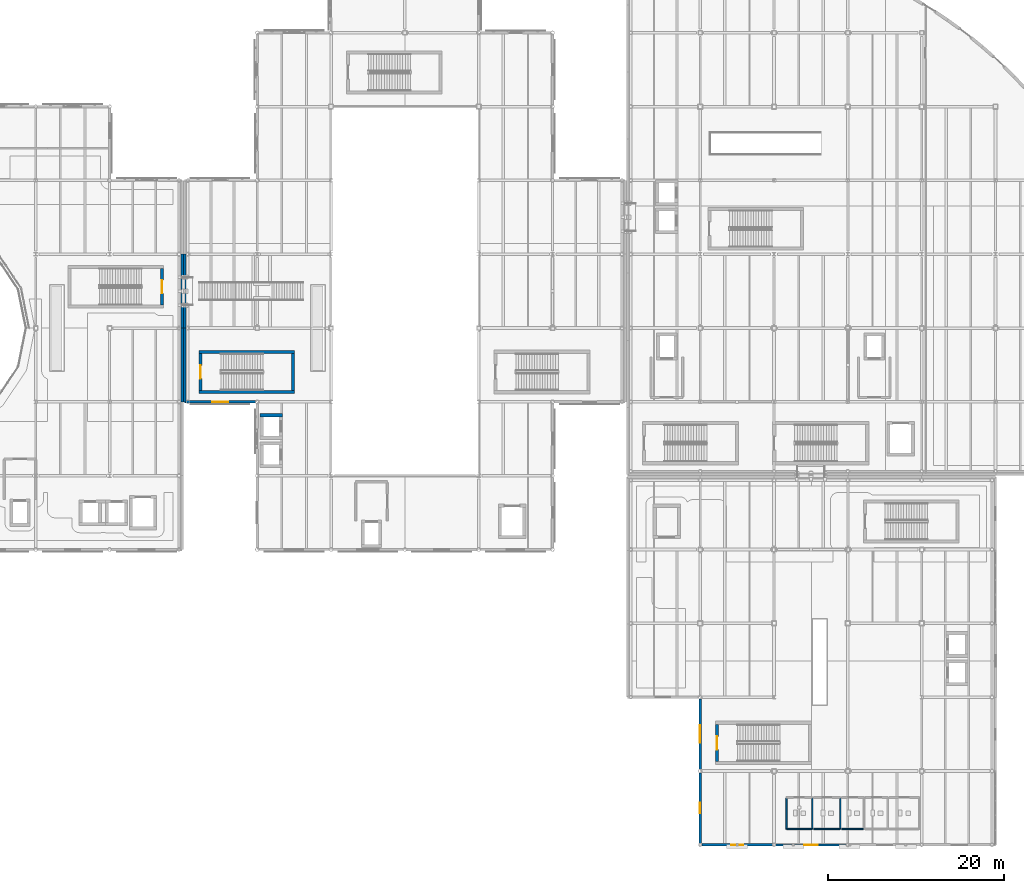
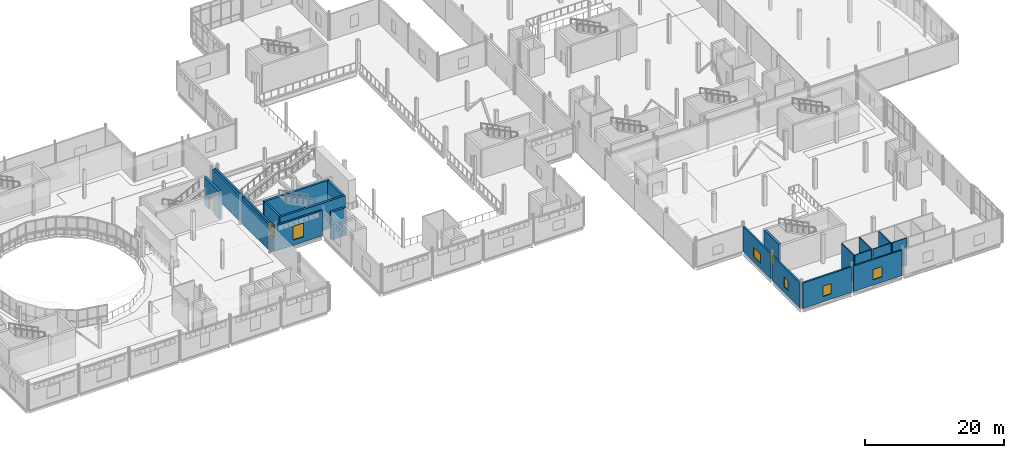
# One storey, part 67 of 104: 22 walls, 5 windows, 3 doors, 8 openings.
"""IFC4 building model written with IfcOpenShell, lengths in metres."""

from ifc_helpers import new_model, si_unit, direction, frame, frame_2d, origin, place, context, subcontext, project, spatial, rectangle, extrude, material, layer, layer_set, type_object, element, fill, save


model = new_model("IFC4")

# Units and contexts
model_context = context("Model", 3, precision=1e-05, world=origin(), true_north=direction((0.0, 1.0)))
body_context = subcontext(model_context, "Body", "Model", "MODEL_VIEW")
ifc_project = project(units=[si_unit("LENGTHUNIT", "METRE"), si_unit("AREAUNIT", "SQUARE_METRE"), si_unit("VOLUMEUNIT", "CUBIC_METRE"), si_unit("PLANEANGLEUNIT", "RADIAN"), si_unit("MASSUNIT", "GRAM", prefix="KILO"), si_unit("THERMODYNAMICTEMPERATUREUNIT", "KELVIN")], contexts=[model_context])

# Site, building, storey
site_placement = place(None, origin())
site = spatial("IfcSite", under=ifc_project, at=site_placement, CompositionType="ELEMENT")
building_placement = place(site_placement, origin())
building = spatial("IfcBuilding", under=site, at=building_placement, Name="Lustrewick Department Store", CompositionType="ELEMENT")
storey_placement = place(building_placement, frame((0.0, 0.0, 11.39990234375)))
storey = spatial("IfcBuildingStorey", under=building, at=storey_placement, Name="L03", CompositionType="ELEMENT", Elevation=11.39990234375)

# Wall, opening, window
ifc_material_1 = material(Name="Precast concrete C40", Category="concrete")
ifc_layer_1 = layer(ifc_material_1, 0.239990234375, Name="Precast concrete C40")
ifc_layer_set_1 = layer_set([ifc_layer_1], Name="Precast concrete C40")
wall_type_1 = type_object("IfcWallType", Name="EW01", PredefinedType="STANDARD", material=ifc_layer_set_1)
wall_1_placement = place(storey_placement, frame((126.18359375, 8.39990234375, 0.0), z_axis=(0.0, 0.0, 1.0), x_axis=(1.0, 0.0, 0.0)))
wall_1 = element("IfcWall", 1, at=wall_1_placement, inside=storey, type_object=wall_type_1, Name="L03 V3 Exterior Wall EW01", PredefinedType="STANDARD", context=body_context, shape_type="SweptSolid", body=[
    extrude(rectangle(XDim=8.032958984375, YDim=0.239990234375, at=frame_2d((4.0166015625, 0.0))), origin(), (0.0, 0.0, 1.0), 4.487060546875),
])
opening_1_placement = place(wall_1_placement, frame((3.2666015625, 0.0, 0.949951171875)))
opening_1 = element("IfcOpeningElement", 2, at=opening_1_placement, cuts=wall_1, Name="Opening WN03", PredefinedType="OPENING", context=body_context, shape_type="SweptSolid", body=[
    extrude(rectangle(XDim=1.5, YDim=1.800048828125, at=frame_2d((0.75, 0.89990234375))), frame((0.0, 0.1298828125, 0.0), z_axis=(0.0, -1.0, 0.0), x_axis=(1.0, 0.0, 0.0)), (0.0, 0.0, 1.0), 0.260009765625),
])
ifc_material_2 = material(Name="Thermally broken Low-E triple-glazed window", Category="glass")
window_type_1 = type_object("IfcWindowType", Name="WN03", PartitioningType="DOUBLE_PANEL_VERTICAL", PredefinedType="WINDOW", material=ifc_material_2)
window_1_placement = place(opening_1_placement, origin())
window_1 = element("IfcWindow", 3, at=window_1_placement, inside=storey, type_object=window_type_1, Name="L03 Art Nouveau Window WN03", OverallHeight=1.800048828125, OverallWidth=1.5, PartitioningType="SINGLE_PANEL", PredefinedType="WINDOW", context=body_context, shape_type="SweptSolid", body=[
    extrude(rectangle(XDim=1.5, YDim=1.800048828125, at=frame_2d((0.75, 0.89990234375))), frame((0.0, 0.030029296875, 0.0), z_axis=(0.0, -1.0, 0.0), x_axis=(1.0, 0.0, 0.0)), (0.0, 0.0, 1.0), 0.06005859375),
])
fill(opening_1, window_1)

ifc_layer_2 = layer(ifc_material_1, 0.260009765625, Name="Precast concrete C40")
ifc_layer_set_2 = layer_set([ifc_layer_2], Name="Precast concrete C40")
wall_type_2 = type_object("IfcWallType", Name="EW02", PredefinedType="STANDARD", material=ifc_layer_set_2)
wall_2_placement = place(storey_placement, frame((117.60009765625, 25.001953125, 0.0), z_axis=(0.0, 0.0, 1.0), x_axis=(0.0, -1.0, 0.0)))
wall_2 = element("IfcWall", 4, at=wall_2_placement, inside=storey, type_object=wall_type_2, Name="L03 V3 Exterior Wall EW02", PredefinedType="STANDARD", context=body_context, shape_type="SweptSolid", body=[
    extrude(rectangle(XDim=8.00390625, YDim=0.260009765625, at=frame_2d((4.001953125, 0.0))), origin(), (0.0, 0.0, 1.0), 4.397216796875),
])
opening_2_placement = place(wall_2_placement, frame((3.001953125, 0.0, 0.949951171875)))
opening_2 = element("IfcOpeningElement", 5, at=opening_2_placement, cuts=wall_2, Name="Opening WN20", PredefinedType="OPENING", context=body_context, shape_type="SweptSolid", body=[
    extrude(rectangle(XDim=2.0, YDim=1.60009765625, at=frame_2d((1.0, 0.800048828125))), frame((0.0, 0.14013671875, 0.0), z_axis=(0.0, -1.0, 0.0), x_axis=(1.0, 0.0, 0.0)), (0.0, 0.0, 1.0), 0.280029296875),
])
window_type_2 = type_object("IfcWindowType", Name="WN20", PartitioningType="DOUBLE_PANEL_VERTICAL", PredefinedType="WINDOW", material=ifc_material_2)
window_2_placement = place(opening_2_placement, origin())
window_2 = element("IfcWindow", 6, at=window_2_placement, inside=storey, type_object=window_type_2, Name="L03 Art Nouveau Window WN20", OverallHeight=1.60009765625, OverallWidth=2.0, PartitioningType="SINGLE_PANEL", PredefinedType="WINDOW", context=body_context, shape_type="SweptSolid", body=[
    extrude(rectangle(XDim=2.0, YDim=1.60009765625, at=frame_2d((1.0, 0.800048828125))), frame((0.0, 0.030029296875, 0.0), z_axis=(0.0, -1.0, 0.0), x_axis=(1.0, 0.0, 0.0)), (0.0, 0.0, 1.0), 0.06005859375),
])
fill(opening_2, window_2)

ifc_layer_3 = layer(ifc_material_1, 0.280029296875, Name="Precast concrete C40")
ifc_layer_set_3 = layer_set([ifc_layer_3], Name="Precast concrete C40")
wall_type_3 = type_object("IfcWallType", Name="EW03", PredefinedType="STANDARD", material=ifc_layer_set_3)
wall_3_placement = place(storey_placement, frame((58.949951171875, 58.800048828125, 0.0), z_axis=(0.0, 0.0, 1.0), x_axis=(1.0, 0.0, 0.0)))
wall_3 = element("IfcWall", 7, at=wall_3_placement, inside=storey, type_object=wall_type_3, Name="L03 V2 Exterior Wall EW03", PredefinedType="STANDARD", context=body_context, shape_type="SweptSolid", body=[
    extrude(rectangle(XDim=8.052001953125, YDim=0.280029296875, at=frame_2d((4.02587890625, 0.0))), origin(), (0.0, 0.0, 1.0), 4.487060546875),
])
opening_3_placement = place(wall_3_placement, frame((3.1259765625, 0.0, 0.949951171875)))
opening_3 = element("IfcOpeningElement", 8, at=opening_3_placement, cuts=wall_3, Name="Opening WN16", PredefinedType="OPENING", context=body_context, shape_type="SweptSolid", body=[
    extrude(rectangle(XDim=1.800048828125, YDim=2.39990234375, at=frame_2d((0.89990234375, 1.199951171875))), frame((0.0, 0.14990234375, 0.0), z_axis=(0.0, -1.0, 0.0), x_axis=(1.0, 0.0, 0.0)), (0.0, 0.0, 1.0), 0.300048828125),
])
window_type_3 = type_object("IfcWindowType", Name="WN16", PartitioningType="DOUBLE_PANEL_VERTICAL", PredefinedType="WINDOW", material=ifc_material_2)
window_3_placement = place(opening_3_placement, origin())
window_3 = element("IfcWindow", 9, at=window_3_placement, inside=storey, type_object=window_type_3, Name="L03 Art Nouveau Window WN16", OverallHeight=2.39990234375, OverallWidth=1.800048828125, PartitioningType="SINGLE_PANEL", PredefinedType="WINDOW", context=body_context, shape_type="SweptSolid", body=[
    extrude(rectangle(XDim=1.800048828125, YDim=2.39990234375, at=frame_2d((0.89990234375, 1.199951171875))), frame((0.0, 0.030029296875, 0.0), z_axis=(0.0, -1.0, 0.0), x_axis=(1.0, 0.0, 0.0)), (0.0, 0.0, 1.0), 0.06005859375),
])
fill(opening_3, window_3)

wall_4_placement = place(storey_placement, frame((117.60009765625, 16.60205078125, 0.0), z_axis=(0.0, 0.0, 1.0), x_axis=(0.0, -1.0, 0.0)))
wall_4 = element("IfcWall", 10, at=wall_4_placement, inside=storey, type_object=wall_type_3, Name="L03 V3 Exterior Wall EW03", PredefinedType="STANDARD", context=body_context, shape_type="SweptSolid", body=[
    extrude(rectangle(XDim=8.0185546875, YDim=0.280029296875, at=frame_2d((4.00927734375, 0.0))), origin(), (0.0, 0.0, 1.0), 4.397216796875),
])
opening_4_placement = place(wall_4_placement, frame((3.4091796875, 0.0, 0.949951171875)))
opening_4 = element("IfcOpeningElement", 11, at=opening_4_placement, cuts=wall_4, Name="Opening WN01", PredefinedType="OPENING", context=body_context, shape_type="SweptSolid", body=[
    extrude(rectangle(XDim=1.199951171875, YDim=1.800048828125, at=frame_2d((0.60009765625, 0.89990234375))), frame((0.0, 0.14990234375, 0.0), z_axis=(0.0, -1.0, 0.0), x_axis=(1.0, 0.0, 0.0)), (0.0, 0.0, 1.0), 0.300048828125),
])
window_type_4 = type_object("IfcWindowType", Name="WN01", PartitioningType="DOUBLE_PANEL_VERTICAL", PredefinedType="WINDOW", material=ifc_material_2)
window_4_placement = place(opening_4_placement, origin())
window_4 = element("IfcWindow", 12, at=window_4_placement, inside=storey, type_object=window_type_4, Name="L03 Art Nouveau Window WN01", OverallHeight=1.800048828125, OverallWidth=1.199951171875, PartitioningType="SINGLE_PANEL", PredefinedType="WINDOW", context=body_context, shape_type="SweptSolid", body=[
    extrude(rectangle(XDim=1.199951171875, YDim=1.800048828125, at=frame_2d((0.60009765625, 0.89990234375))), frame((0.0, 0.030029296875, 0.0), z_axis=(0.0, -1.0, 0.0), x_axis=(1.0, 0.0, 0.0)), (0.0, 0.0, 1.0), 0.06005859375),
])
fill(opening_4, window_4)

wall_5_placement = place(storey_placement, frame((117.783447265625, 8.39990234375, 0.0), z_axis=(0.0, 0.0, 1.0), x_axis=(1.0, 0.0, 0.0)))
wall_5 = element("IfcWall", 13, at=wall_5_placement, inside=storey, type_object=wall_type_3, Name="L03 V3 Exterior Wall EW03", PredefinedType="STANDARD", context=body_context, shape_type="SweptSolid", body=[
    extrude(rectangle(XDim=8.032958984375, YDim=0.280029296875, at=frame_2d((4.0166015625, 0.0))), origin(), (0.0, 0.0, 1.0), 4.487060546875),
])
opening_5_placement = place(wall_5_placement, frame((3.341552734375, 0.0, 0.949951171875)))
opening_5 = element("IfcOpeningElement", 14, at=opening_5_placement, cuts=wall_5, Name="Opening WN02", PredefinedType="OPENING", context=body_context, shape_type="SweptSolid", body=[
    extrude(rectangle(XDim=1.35009765625, YDim=1.800048828125, at=frame_2d((0.675048828125, 0.89990234375))), frame((0.0, 0.14990234375, 0.0), z_axis=(0.0, -1.0, 0.0), x_axis=(1.0, 0.0, 0.0)), (0.0, 0.0, 1.0), 0.300048828125),
])
window_type_5 = type_object("IfcWindowType", Name="WN02", PartitioningType="DOUBLE_PANEL_VERTICAL", PredefinedType="WINDOW", material=ifc_material_2)
window_5_placement = place(opening_5_placement, origin())
window_5 = element("IfcWindow", 15, at=window_5_placement, inside=storey, type_object=window_type_5, Name="L03 Art Nouveau Window WN02", OverallHeight=1.800048828125, OverallWidth=1.35009765625, PartitioningType="SINGLE_PANEL", PredefinedType="WINDOW", context=body_context, shape_type="SweptSolid", body=[
    extrude(rectangle(XDim=1.35009765625, YDim=1.800048828125, at=frame_2d((0.675048828125, 0.89990234375))), frame((0.0, 0.030029296875, 0.0), z_axis=(0.0, -1.0, 0.0), x_axis=(1.0, 0.0, 0.0)), (0.0, 0.0, 1.0), 0.06005859375),
])
fill(opening_5, window_5)

# Walls
ifc_layer_4 = layer(ifc_material_1, 0.300048828125, Name="Precast concrete C40")
ifc_layer_set_4 = layer_set([ifc_layer_4], Name="Precast concrete C40")
wall_type_4 = type_object("IfcWallType", Name="EW04", PredefinedType="STANDARD", material=ifc_layer_set_4)
wall_6_placement = place(storey_placement, frame((58.64990234375, 58.800048828125, 0.0), z_axis=(0.0, 0.0, 1.0), x_axis=(0.0, 1.0, 0.0)))
element("IfcWall", 16, at=wall_6_placement, inside=storey, type_object=wall_type_4, Name="L03 V1 Exterior Wall EW04", PredefinedType="STANDARD", context=body_context, shape_type="SweptSolid", body=[
    extrude(rectangle(XDim=8.39990234375, YDim=0.300048828125, at=frame_2d((4.199951171875, 0.0))), origin(), (0.0, 0.0, 1.0), 4.397216796875),
])
wall_7_placement = place(storey_placement, frame((58.64990234375, 67.199951171875, 0.0), z_axis=(0.0, 0.0, 1.0), x_axis=(0.0, 1.0, 0.0)))
element("IfcWall", 17, at=wall_7_placement, inside=storey, type_object=wall_type_4, Name="L03 V1 Exterior Wall EW04", PredefinedType="STANDARD", context=body_context, shape_type="SweptSolid", body=[
    extrude(rectangle(XDim=8.400146484375, YDim=0.300048828125, at=frame_2d((4.2001953125, 0.0))), origin(), (0.0, 0.0, 1.0), 4.397216796875),
])
wall_8_placement = place(storey_placement, frame((58.949951171875, 75.60009765625, 0.0), z_axis=(0.0, 0.0, 1.0), x_axis=(0.0, -1.0, 0.0)))
element("IfcWall", 18, at=wall_8_placement, inside=storey, type_object=wall_type_4, Name="L03 V2 Exterior Wall EW04", PredefinedType="STANDARD", context=body_context, shape_type="SweptSolid", body=[
    extrude(rectangle(XDim=8.400146484375, YDim=0.300048828125, at=frame_2d((4.2001953125, 0.0))), origin(), (0.0, 0.0, 1.0), 4.487060546875),
])
wall_9_placement = place(storey_placement, frame((58.949951171875, 67.199951171875, 0.0), z_axis=(0.0, 0.0, 1.0), x_axis=(0.0, -1.0, 0.0)))
element("IfcWall", 19, at=wall_9_placement, inside=storey, type_object=wall_type_4, Name="L03 V2 Exterior Wall EW04", PredefinedType="STANDARD", context=body_context, shape_type="SweptSolid", body=[
    extrude(rectangle(XDim=8.39990234375, YDim=0.300048828125, at=frame_2d((4.199951171875, 0.0))), origin(), (0.0, 0.0, 1.0), 4.487060546875),
])
ifc_material_3 = material(Name="Moisture-resistant cement board sanitary partition", Category="gypsum")
ifc_layer_5 = layer(ifc_material_3, 0.14990234375, Name="Moisture-resistant cement board sanitary partition")
ifc_layer_set_5 = layer_set([ifc_layer_5], Name="Moisture-resistant cement board sanitary partition")
wall_type_5 = type_object("IfcWallType", Name="PW05", PredefinedType="PARTITIONING", material=ifc_layer_set_5)
for number, where, z_axis, x_axis, name in (
    (20, (130.340087890625, 10.199951171875, 0.0), (0.0, 0.0, 1.0), (0.0, 1.0, 0.0), "L03 Male Public WC PW05"),
    (21, (127.39990234375, 13.72998046875, 0.0), (0.0, 0.0, 1.0), (0.0, -1.0, 0.0), "L03 Male Public WC PW05"),
):
    element("IfcWall", number, at=place(storey_placement, frame(where, z_axis=z_axis, x_axis=x_axis)), inside=storey, type_object=wall_type_5, Name=name, PredefinedType="PARTITIONING", context=body_context, shape_type="SweptSolid", body=[
        extrude(rectangle(XDim=3.530029296875, YDim=0.14990234375, at=frame_2d((1.76513671875, 0.0))), origin(), (0.0, 0.0, 1.0), 4.84521484375),
    ])
wall_10_placement = place(storey_placement, frame((127.469970703125, 10.199951171875, 0.0), z_axis=(0.0, 0.0, 1.0), x_axis=(1.0, 0.0, 0.0)))
element("IfcWall", 22, at=wall_10_placement, inside=storey, type_object=wall_type_5, Name="L03 Male Public WC PW05", PredefinedType="PARTITIONING", context=body_context, shape_type="SweptSolid", body=[
    extrude(rectangle(XDim=2.800048828125, YDim=0.14990234375, at=frame_2d((1.39990234375, 0.0))), origin(), (0.0, 0.0, 1.0), 4.84521484375),
])
wall_11_placement = place(storey_placement, frame((133.5400390625, 10.199951171875, 0.0), z_axis=(0.0, 0.0, 1.0), x_axis=(0.0, 1.0, 0.0)))
element("IfcWall", 23, at=wall_11_placement, inside=storey, type_object=wall_type_5, Name="L03 Female Public WC PW05", PredefinedType="PARTITIONING", context=body_context, shape_type="SweptSolid", body=[
    extrude(rectangle(XDim=3.530029296875, YDim=0.14990234375, at=frame_2d((1.76513671875, 0.0))), origin(), (0.0, 0.0, 1.0), 4.84521484375),
])
wall_12_placement = place(storey_placement, frame((130.5, 10.199951171875, 0.0), z_axis=(0.0, 0.0, 1.0), x_axis=(1.0, 0.0, 0.0)))
element("IfcWall", 24, at=wall_12_placement, inside=storey, type_object=wall_type_5, Name="L03 Female Public WC PW05", PredefinedType="PARTITIONING", context=body_context, shape_type="SweptSolid", body=[
    extrude(rectangle(XDim=2.969970703125, YDim=0.14990234375, at=frame_2d((1.48486328125, 0.0))), origin(), (0.0, 0.0, 1.0), 4.84521484375),
])
wall_13_placement = place(storey_placement, frame((133.699951171875, 10.199951171875, 0.0), z_axis=(0.0, 0.0, 1.0), x_axis=(1.0, 0.0, 0.0)))
element("IfcWall", 25, at=wall_13_placement, inside=storey, type_object=wall_type_5, Name="L03 Accessible WC PW05", PredefinedType="PARTITIONING", context=body_context, shape_type="SweptSolid", body=[
    extrude(rectangle(XDim=2.469970703125, YDim=0.14990234375, at=frame_2d((1.23486328125, 0.0))), origin(), (0.0, 0.0, 1.0), 4.84521484375),
])

# Wall, opening, door
ifc_material_4 = material(Name="Concrete C40", Category="concrete")
ifc_layer_6 = layer(ifc_material_4, 0.3798828125, Name="Concrete C40")
ifc_layer_set_6 = layer_set([ifc_layer_6], Name="Concrete C40")
wall_type_6 = type_object("IfcWallType", Name="SW03", PredefinedType="SHEAR", material=ifc_layer_set_6)
wall_14_placement = place(storey_placement, frame((119.510009765625, 22.10009765625, 0.0), z_axis=(0.0, 0.0, 1.0), x_axis=(0.0, -1.0, 0.0)))
wall_14 = element("IfcWall", 26, at=wall_14_placement, inside=storey, type_object=wall_type_6, Name="L03 Stair Core ST07 Shear Wall W", PredefinedType="SHEAR", context=body_context, shape_type="SweptSolid", body=[
    extrude(rectangle(XDim=4.2001953125, YDim=0.3798828125, at=frame_2d((2.10009765625, 0.0))), origin(), (0.0, 0.0, 1.0), 4.84521484375),
])
opening_6_placement = place(wall_14_placement, frame((1.35009765625, 0.0, 0.0)))
opening_6 = element("IfcOpeningElement", 27, at=opening_6_placement, cuts=wall_14, Name="Opening D-L03-007", PredefinedType="OPENING", context=body_context, shape_type="SweptSolid", body=[
    extrude(rectangle(XDim=1.5, YDim=2.14990234375, at=frame_2d((0.75, 1.074951171875))), frame((0.0, 0.199951171875, 0.0), z_axis=(0.0, -1.0, 0.0), x_axis=(1.0, 0.0, 0.0)), (0.0, 0.0, 1.0), 0.39990234375),
])
ifc_material_5 = material(Name="Steel fire door Class B EI 60", Category="steel")
door_type = type_object("IfcDoorType", Name="DT-07", OperationType="NOTDEFINED", PredefinedType="DOOR", material=ifc_material_5)
door_1_placement = place(opening_6_placement, origin())
door_1 = element("IfcDoor", 28, at=door_1_placement, inside=storey, type_object=door_type, Name="L03 Smoke-Proof Stair ST07 Fire Door", OperationType="SINGLE_SWING_LEFT", OverallHeight=2.14990234375, OverallWidth=1.5, PredefinedType="DOOR", context=body_context, shape_type="SweptSolid", body=[
    extrude(rectangle(XDim=1.5, YDim=2.14990234375, at=frame_2d((0.75, 1.074951171875))), frame((0.0, 0.02490234375, 0.0), z_axis=(0.0, -1.0, 0.0), x_axis=(1.0, 0.0, 0.0)), (0.0, 0.0, 1.0), 0.050048828125),
])
fill(opening_6, door_1)

# Wall
ifc_layer_7 = layer(ifc_material_4, 0.360107421875, Name="Concrete C40")
ifc_layer_set_7 = layer_set([ifc_layer_7], Name="Concrete C40")
wall_type_7 = type_object("IfcWallType", Name="SW04", PredefinedType="SHEAR", material=ifc_layer_set_7)
wall_15_placement = place(storey_placement, frame((70.06005859375, 57.280029296875, 0.0), z_axis=(0.0, 0.0, 1.0), x_axis=(-1.0, 0.0, 0.0)))
element("IfcWall", 29, at=wall_15_placement, inside=storey, type_object=wall_type_7, Name="L03 Lift PL-04 Shaft Wall +Y", PredefinedType="SHEAR", context=body_context, shape_type="SweptSolid", body=[
    extrude(rectangle(XDim=2.52001953125, YDim=0.360107421875, at=frame_2d((1.260009765625, 0.0))), origin(), (0.0, 0.0, 1.0), 4.84521484375),
])

# Wall, opening, door
ifc_layer_8 = layer(ifc_material_4, 0.340087890625, Name="Concrete C40")
ifc_layer_set_8 = layer_set([ifc_layer_8], Name="Concrete C40")
wall_type_8 = type_object("IfcWallType", Name="SW05", PredefinedType="SHEAR", material=ifc_layer_set_8)
wall_16_placement = place(storey_placement, frame((56.3701171875, 69.800048828125, 0.0), z_axis=(0.0, 0.0, 1.0), x_axis=(0.0, 1.0, 0.0)))
wall_16 = element("IfcWall", 30, at=wall_16_placement, inside=storey, type_object=wall_type_8, Name="L03 Stair Core ST02 Shear Wall E", PredefinedType="SHEAR", context=body_context, shape_type="SweptSolid", body=[
    extrude(rectangle(XDim=4.199951171875, YDim=0.340087890625, at=frame_2d((2.10009765625, 0.0))), origin(), (0.0, 0.0, 1.0), 4.84521484375),
])
opening_7_placement = place(wall_16_placement, frame((1.35009765625, 0.0, 0.0)))
opening_7 = element("IfcOpeningElement", 31, at=opening_7_placement, cuts=wall_16, Name="Opening D-L03-002", PredefinedType="OPENING", context=body_context, shape_type="SweptSolid", body=[
    extrude(rectangle(XDim=1.5, YDim=2.14990234375, at=frame_2d((0.75, 1.074951171875))), frame((0.0, 0.18017578125, 0.0), z_axis=(0.0, -1.0, 0.0), x_axis=(1.0, 0.0, 0.0)), (0.0, 0.0, 1.0), 0.360107421875),
])
door_2_placement = place(opening_7_placement, origin())
door_2 = element("IfcDoor", 32, at=door_2_placement, inside=storey, type_object=door_type, Name="L03 Smoke-Proof Stair ST02 Fire Door", OperationType="SINGLE_SWING_RIGHT", OverallHeight=2.14990234375, OverallWidth=1.5, PredefinedType="DOOR", context=body_context, shape_type="SweptSolid", body=[
    extrude(rectangle(XDim=1.5, YDim=2.14990234375, at=frame_2d((0.75, 1.074951171875))), frame((0.0, 0.02490234375, 0.0), z_axis=(0.0, -1.0, 0.0), x_axis=(1.0, 0.0, 0.0)), (0.0, 0.0, 1.0), 0.050048828125),
])
fill(opening_7, door_2)

# Walls
wall_17_placement = place(storey_placement, frame((60.56005859375, 59.929931640625, 0.0), z_axis=(0.0, 0.0, 1.0), x_axis=(1.0, 0.0, 0.0)))
element("IfcWall", 33, at=wall_17_placement, inside=storey, type_object=wall_type_8, Name="L03 Stair Core ST04 Shear Wall S", PredefinedType="SHEAR", context=body_context, shape_type="SweptSolid", body=[
    extrude(rectangle(XDim=10.8798828125, YDim=0.340087890625, at=frame_2d((5.43994140625, 0.0))), origin(), (0.0, 0.0, 1.0), 4.84521484375),
])
wall_18_placement = place(storey_placement, frame((71.27001953125, 60.10009765625, 0.0), z_axis=(0.0, 0.0, 1.0), x_axis=(0.0, 1.0, 0.0)))
element("IfcWall", 34, at=wall_18_placement, inside=storey, type_object=wall_type_8, Name="L03 Stair Core ST04 Shear Wall E", PredefinedType="SHEAR", context=body_context, shape_type="SweptSolid", body=[
    extrude(rectangle(XDim=4.199951171875, YDim=0.340087890625, at=frame_2d((2.10009765625, 0.0))), origin(), (0.0, 0.0, 1.0), 4.84521484375),
])
wall_19_placement = place(storey_placement, frame((71.43994140625, 64.469970703125, 0.0), z_axis=(0.0, 0.0, 1.0), x_axis=(-1.0, 0.0, 0.0)))
element("IfcWall", 35, at=wall_19_placement, inside=storey, type_object=wall_type_8, Name="L03 Stair Core ST04 Shear Wall N", PredefinedType="SHEAR", context=body_context, shape_type="SweptSolid", body=[
    extrude(rectangle(XDim=10.8798828125, YDim=0.340087890625, at=frame_2d((5.43994140625, 0.0))), origin(), (0.0, 0.0, 1.0), 4.84521484375),
])

# Wall, opening, door
wall_20_placement = place(storey_placement, frame((60.72998046875, 64.300048828125, 0.0), z_axis=(0.0, 0.0, 1.0), x_axis=(0.0, -1.0, 0.0)))
wall_20 = element("IfcWall", 36, at=wall_20_placement, inside=storey, type_object=wall_type_8, Name="L03 Stair Core ST04 Shear Wall W", PredefinedType="SHEAR", context=body_context, shape_type="SweptSolid", body=[
    extrude(rectangle(XDim=4.199951171875, YDim=0.340087890625, at=frame_2d((2.10009765625, 0.0))), origin(), (0.0, 0.0, 1.0), 4.84521484375),
])
opening_8_placement = place(wall_20_placement, frame((1.35009765625, 0.0, 0.0)))
opening_8 = element("IfcOpeningElement", 37, at=opening_8_placement, cuts=wall_20, Name="Opening D-L03-004", PredefinedType="OPENING", context=body_context, shape_type="SweptSolid", body=[
    extrude(rectangle(XDim=1.5, YDim=2.14990234375, at=frame_2d((0.75, 1.074951171875))), frame((0.0, 0.18017578125, 0.0), z_axis=(0.0, -1.0, 0.0), x_axis=(1.0, 0.0, 0.0)), (0.0, 0.0, 1.0), 0.360107421875),
])
door_3_placement = place(opening_8_placement, origin())
door_3 = element("IfcDoor", 38, at=door_3_placement, inside=storey, type_object=door_type, Name="L03 Smoke-Proof Stair ST04 Fire Door", OperationType="SINGLE_SWING_RIGHT", OverallHeight=2.14990234375, OverallWidth=1.5, PredefinedType="DOOR", context=body_context, shape_type="SweptSolid", body=[
    extrude(rectangle(XDim=1.5, YDim=2.14990234375, at=frame_2d((0.75, 1.074951171875))), frame((0.0, 0.02490234375, 0.0), z_axis=(0.0, -1.0, 0.0), x_axis=(1.0, 0.0, 0.0)), (0.0, 0.0, 1.0), 0.050048828125),
])
fill(opening_8, door_3)

save(model, "model.ifc")
